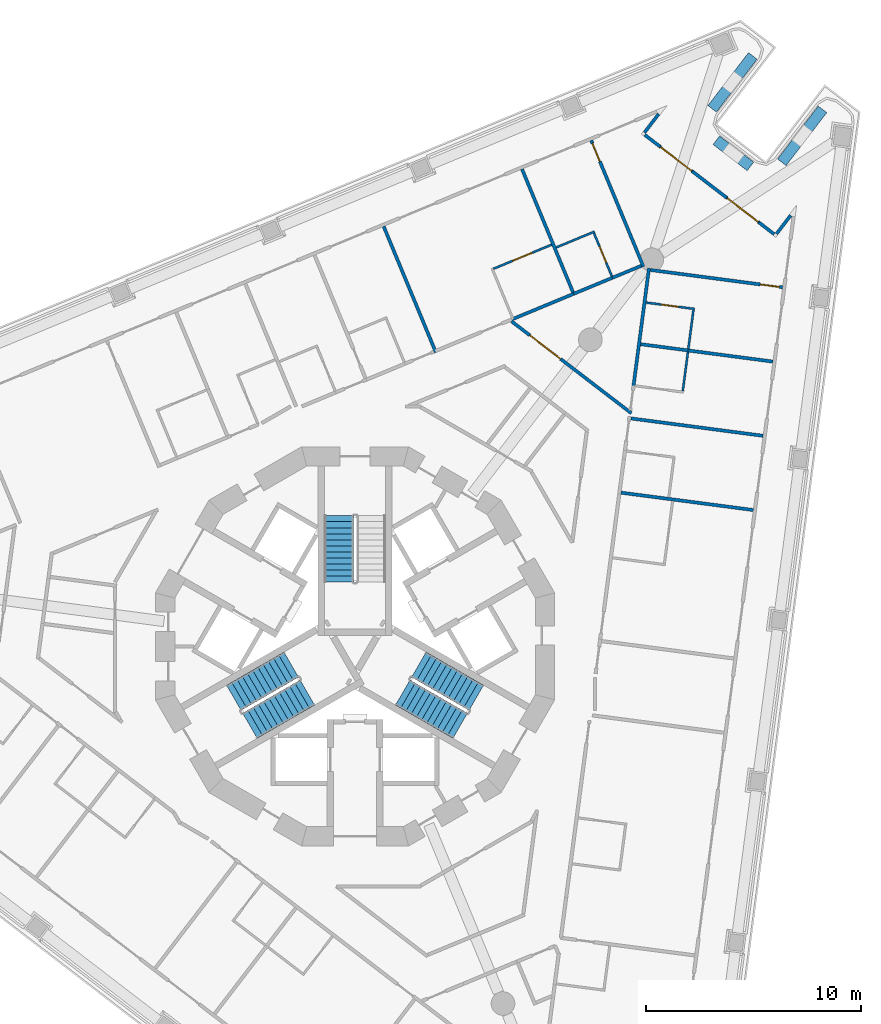
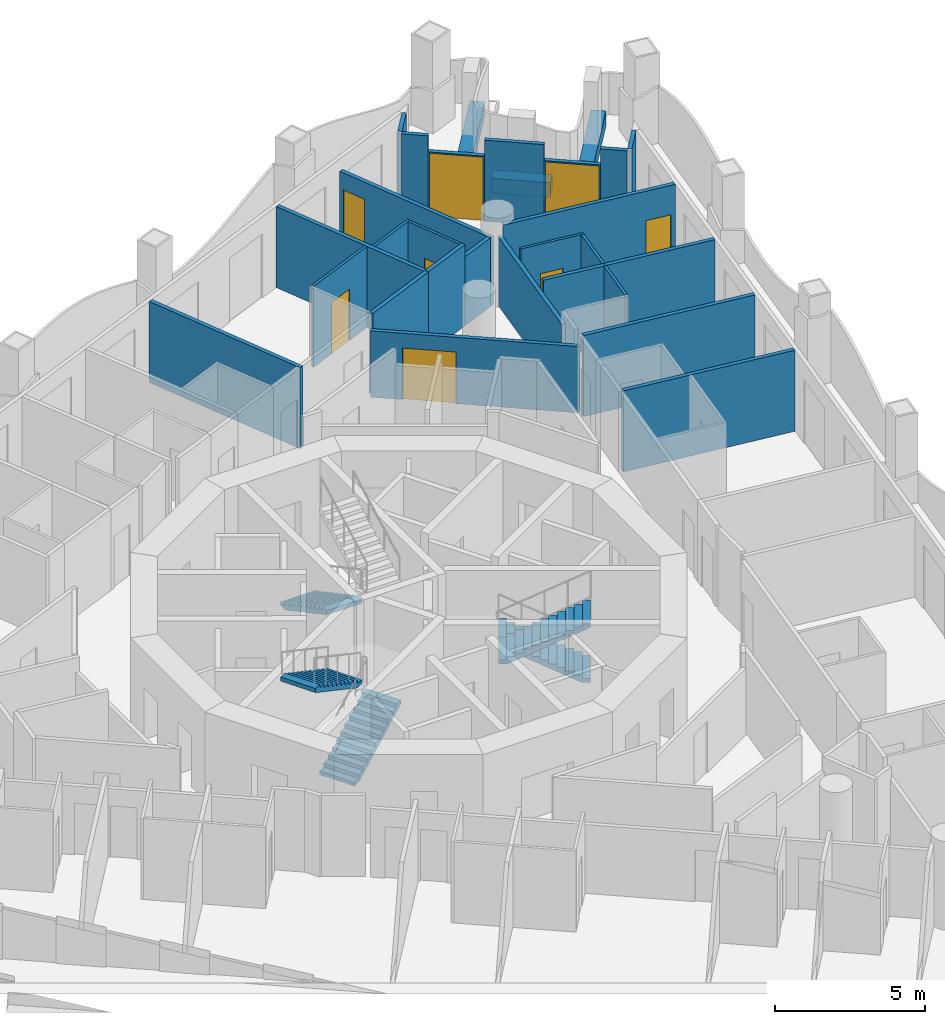
# One storey, part 10 of 18: 29 walls, 8 doors, 5 stair flights, 8 openings, 3 elements without a shape of their own.
"""IFC4 building model written with IfcOpenShell, lengths in metres."""

import ifcopenshell
import ifcopenshell.guid

model = None  # the IFC model being written
_history = None  # IfcOwnerHistory: only IFC2X3 demands one
_inside = {}  # id of a spatial element -> (the spatial element, [elements in it])
_under = {}  # id of a project, library or spatial element -> (it, [spatial elements below it])
_declared = {}  # id of a project -> (the project, [libraries it declares])
_typed = {}  # id of a type object -> (the type object, [elements of that type])
_made_of = {}  # id of a material, layer set ... -> (it, [elements and type objects made of it])


def new_model(schema):
    """Start an empty IFC model of exactly this schema.

    Asked for "IFC4X3", IfcOpenShell would pick the latest addendum, in which some entities
    have other attributes; the version numbers below select the first issue.
    IFC2X3 requires an IfcOwnerHistory on every rooted entity: one is made here for all.
    """
    global model, _history
    if schema == "IFC4X3":
        model = ifcopenshell.file(schema_version=(4, 3, 0, 0))
    else:
        model = ifcopenshell.file(schema=schema)
    _inside.clear()
    _under.clear()
    _declared.clear()
    _typed.clear()
    _made_of.clear()
    _history = None
    if model.schema == "IFC2X3":
        org = make("IfcOrganization", Name="unknown")
        user = make(
            "IfcPersonAndOrganization",
            ThePerson=make("IfcPerson", FamilyName="unknown"),
            TheOrganization=org,
        )
        app = make(
            "IfcApplication",
            ApplicationDeveloper=org,
            Version="unknown",
            ApplicationFullName="unknown",
            ApplicationIdentifier="unknown",
        )
        _history = make(
            "IfcOwnerHistory",
            OwningUser=user,
            OwningApplication=app,
            ChangeAction="ADDED",
            CreationDate=0,
        )
    return model


def make(cls, **values):
    """One entity of the class cls with the attributes given. An attribute that is None is left unset."""
    return model.create_entity(
        cls, **{name: value for name, value in values.items() if value is not None}
    )


def rooted(cls, **values):
    """An entity with a GlobalId (a new one), such as an element, a storey or a relation."""
    return make(cls, GlobalId=ifcopenshell.guid.new(), OwnerHistory=_history, **values)


def si_unit(unit_type, name, prefix=None):
    """IfcSIUnit, for example si_unit("LENGTHUNIT", "METRE", prefix="MILLI")."""
    return make("IfcSIUnit", UnitType=unit_type, Prefix=prefix, Name=name)


def assignment(units):
    """IfcUnitAssignment: the units of a project."""
    return None if units is None else make("IfcUnitAssignment", Units=units)


def point(xyz):
    """IfcCartesianPoint."""
    return None if xyz is None else make("IfcCartesianPoint", Coordinates=xyz)


def direction(xyz):
    """IfcDirection."""
    return None if xyz is None else make("IfcDirection", DirectionRatios=xyz)


def frame(location, z_axis=None, x_axis=None):
    """IfcAxis2Placement3D, a coordinate frame: its origin and axes. An axis left out is left unset."""
    return make(
        "IfcAxis2Placement3D",
        Location=point(location),
        Axis=direction(z_axis),
        RefDirection=direction(x_axis),
    )


def frame_2d(location, x_axis=None):
    """IfcAxis2Placement2D, a coordinate frame in the plane: its origin and x axis."""
    return make(
        "IfcAxis2Placement2D", Location=point(location), RefDirection=direction(x_axis)
    )


def origin():
    """The frame at (0, 0, 0) with its axes left unset."""
    return frame((0.0, 0.0, 0.0))


def place(relative_to, where):
    """IfcLocalPlacement: puts the frame where relative to a parent placement (None: the world)."""
    return make(
        "IfcLocalPlacement", PlacementRelTo=relative_to, RelativePlacement=where
    )


def context(
    kind, dimensions, precision=None, world=None, true_north=None, identifier=None
):
    """IfcGeometricRepresentationContext, for example the 3D "Model" context."""
    return make(
        "IfcGeometricRepresentationContext",
        ContextIdentifier=identifier,
        ContextType=kind,
        CoordinateSpaceDimension=dimensions,
        Precision=precision,
        WorldCoordinateSystem=world,
        TrueNorth=true_north,
    )


def subcontext(parent, identifier, kind, view, scale=None):
    """IfcGeometricRepresentationSubContext, for example "Body" below "Model"."""
    return make(
        "IfcGeometricRepresentationSubContext",
        ContextIdentifier=identifier,
        ContextType=kind,
        ParentContext=parent,
        TargetScale=scale,
        TargetView=view,
    )


def project(units=None, contexts=None):
    """IfcProject with its units and contexts."""
    return rooted(
        "IfcProject",
        Name="project",
        RepresentationContexts=contexts,
        UnitsInContext=assignment(units),
    )


def spatial(cls, under=None, at=None, **own):
    """A site, building, storey or space (cls), placed at a placement, below another one or the project."""
    s = rooted(cls, ObjectPlacement=at, **own)
    if under is not None:
        _under.setdefault(under.id(), (under, []))[1].append(s)
    return s


def polyline(points):
    """IfcPolyline through the points."""
    return make("IfcPolyline", Points=[point(p) for p in points])


def profile(cls, at=None, kind="AREA", **sizes):
    """A parametric profile (cls). Its sizes go by their IFC names, for example OverallWidth=200.0."""
    return make(cls, ProfileType=kind, Position=at, **sizes)


def rectangle(**sizes):
    """IfcRectangleProfileDef."""
    return profile("IfcRectangleProfileDef", **sizes)


def outline(outer, holes=None, kind="AREA"):
    """IfcArbitraryClosedProfileDef: a profile drawn as a closed curve; with holes, ...WithVoids."""
    if holes is None:
        return make("IfcArbitraryClosedProfileDef", ProfileType=kind, OuterCurve=outer)
    return make(
        "IfcArbitraryProfileDefWithVoids",
        ProfileType=kind,
        OuterCurve=outer,
        InnerCurves=holes,
    )


def extrude(swept, where, along, depth):
    """IfcExtrudedAreaSolid: the profile swept, set in the frame where, extruded along a direction by depth."""
    return make(
        "IfcExtrudedAreaSolid",
        SweptArea=swept,
        Position=where,
        ExtrudedDirection=direction(along),
        Depth=depth,
    )


def shape(context_of_items, identifier, shape_type, items):
    """IfcShapeRepresentation: the items that make up one representation, for example the "Body"."""
    return make(
        "IfcShapeRepresentation",
        ContextOfItems=context_of_items,
        RepresentationIdentifier=identifier,
        RepresentationType=shape_type,
        Items=items,
    )


def material(Name=None, Category=None):
    """IfcMaterial."""
    return make("IfcMaterial", Name=Name, Category=Category)


def layer(
    of_material, thickness, ventilated=None, Name=None, Category=None, Priority=None
):
    """IfcMaterialLayer: one layer of a wall or slab, of a material (None: an air gap)."""
    return make(
        "IfcMaterialLayer",
        Material=of_material,
        LayerThickness=thickness,
        IsVentilated=ventilated,
        Name=Name,
        Category=Category,
        Priority=Priority,
    )


def layer_set(layers, Name=None):
    """IfcMaterialLayerSet."""
    return make("IfcMaterialLayerSet", MaterialLayers=layers, LayerSetName=Name)


def made_of(thing, what):
    """Note that an element or type object is made of a material, layer set ...; save() writes the relation."""
    if what is not None:
        _made_of.setdefault(what.id(), (what, []))[1].append(thing)
    return thing


def type_object(cls, material=None, **own):
    """A type object (cls), such as IfcWallType, which elements share."""
    return made_of(rooted(cls, **own), material)


def element(
    cls,
    number,
    at=None,
    inside=None,
    cuts=None,
    type_object=None,
    material=None,
    context=None,
    identifier="Body",
    shape_type=None,
    held_by="IfcProductDefinitionShape",
    body=None,
    shapes=None,
    **own,
):
    """One element of the class cls, such as IfcWall. Its Tag is "e" and its number.

    at: its placement. inside: the storey or other place that contains it. cuts: it is an
    opening in that element (IfcRelVoidsElement). A single representation is given by context,
    identifier, shape_type and body (its items); several are given by shapes. held_by: the class
    of the entity that holds the representations. save() writes the other relations.
    """
    e = rooted(cls, Tag="e%d" % number, ObjectPlacement=at, **own)
    if body is not None:
        shapes = [shape(context, identifier, shape_type, body)]
    if shapes is not None:
        e.Representation = make(held_by, Representations=shapes)
    if inside is not None:
        _inside.setdefault(inside.id(), (inside, []))[1].append(e)
    if cuts is not None:
        rooted(
            "IfcRelVoidsElement", RelatingBuildingElement=cuts, RelatedOpeningElement=e
        )
    if type_object is not None:
        _typed.setdefault(type_object.id(), (type_object, []))[1].append(e)
    return made_of(e, material)


def fill(opening, filler):
    """IfcRelFillsElement: the door or window that sits in an opening."""
    return rooted(
        "IfcRelFillsElement",
        RelatingOpeningElement=opening,
        RelatedBuildingElement=filler,
    )


def aggregate(whole, parts):
    """IfcRelAggregates: a whole, such as a stair, and the parts it consists of."""
    return rooted("IfcRelAggregates", RelatingObject=whole, RelatedObjects=parts)


def save(model, path):
    """Write the relations noted so far, then the file.

    IfcRelAggregates (storeys below a building ...), IfcRelContainedInSpatialStructure (elements
    in a storey), IfcRelDefinesByType, IfcRelAssociatesMaterial and IfcRelDeclares: one each for
    every whole, place, type object, material and project.
    """
    for whole, parts in _under.values():
        aggregate(whole, parts)
    for where, things in _inside.values():
        rooted(
            "IfcRelContainedInSpatialStructure",
            RelatedElements=things,
            RelatingStructure=where,
        )
    for kind, things in _typed.values():
        rooted("IfcRelDefinesByType", RelatedObjects=things, RelatingType=kind)
    for what, things in _made_of.values():
        rooted("IfcRelAssociatesMaterial", RelatedObjects=things, RelatingMaterial=what)
    for by, libraries in _declared.values():
        rooted("IfcRelDeclares", RelatingContext=by, RelatedDefinitions=libraries)
    model.write(path)


model = new_model("IFC4")

# Units and contexts
model_context = context("Model", 3, precision=1e-05, world=origin(), true_north=direction((0.0, 1.0)))
body_context = subcontext(model_context, "Body", "Model", "MODEL_VIEW")
ifc_project = project(units=[si_unit("LENGTHUNIT", "METRE"), si_unit("AREAUNIT", "SQUARE_METRE"), si_unit("VOLUMEUNIT", "CUBIC_METRE"), si_unit("PLANEANGLEUNIT", "RADIAN"), si_unit("MASSUNIT", "GRAM", prefix="KILO")], contexts=[model_context])

# Site, building, storey
site_placement = place(None, origin())
site = spatial("IfcSite", under=ifc_project, at=site_placement, CompositionType="ELEMENT")
building_placement = place(site_placement, origin())
building = spatial("IfcBuilding", under=site, at=building_placement, Name="Trine Commons Tower", CompositionType="ELEMENT")
storey_placement = place(building_placement, frame((0.0, 0.0, 142.199951171875)))
storey = spatial("IfcBuildingStorey", under=building, at=storey_placement, Name="L36", CompositionType="ELEMENT", Elevation=142.199951171875)

# Walls
ifc_material_1 = material(Name="Aluminium-framed insulated wall panel", Category="aluminium")
ifc_layer_1 = layer(ifc_material_1, 0.14990234375)
ifc_layer_set_1 = layer_set([ifc_layer_1], Name="Aluminium-framed insulated wall panel")
wall_type_1 = type_object("IfcWallType", Name="Glazed frame wall 150, EI 60", PredefinedType="SOLIDWALL", material=ifc_layer_set_1)
wall_1_placement = place(storey_placement, frame((94.193115234375, 87.345703125, 0.0), z_axis=(0.0, 0.0, 1.0), x_axis=(-0.608762998157, -0.793352136239, 0.0)))
element("IfcWall", 1, at=wall_1_placement, inside=storey, type_object=wall_type_1, Name="Glazed frame wall R5", PredefinedType="SOLIDWALL", context=body_context, shape_type="SweptSolid", body=[
    extrude(outline(polyline([(0.1494140625, 0.074951171875), (0.1494140625, -0.074951171875), (1.235107421875, -0.074951171875), (1.235107421875, 0.074951171875), (0.1494140625, 0.074951171875)])), origin(), (0.0, 0.0, 1.0), 3.300048828125),
])
wall_2_placement = place(storey_placement, frame((93.36767578125, 86.32763671875, 0.0), z_axis=(0.0, 0.0, 1.0), x_axis=(0.793331259853, -0.608790203715, 0.0)))
element("IfcWall", 2, at=wall_2_placement, inside=storey, type_object=wall_type_1, Name="Glazed frame wall P2.1", PredefinedType="SOLIDWALL", context=body_context, shape_type="SweptSolid", body=[
    extrude(outline(polyline([(0.110107421875, -0.074951171875), (1.0, -0.074951171875), (1.0, 0.074951171875), (0.110107421875, 0.074951171875), (0.110107421875, -0.074951171875)])), origin(), (0.0, 0.0, 1.0), 3.300048828125),
])

# Wall, opening, door
wall_3_placement = place(storey_placement, frame((94.1611328125, 85.71875, 0.0), z_axis=(0.0, 0.0, 1.0), x_axis=(0.793382932281, -0.608722862036, 0.0)))
wall_3 = element("IfcWall", 3, at=wall_3_placement, inside=storey, type_object=wall_type_1, Name="Glazed frame wall P2.2", PredefinedType="SOLIDWALL", context=body_context, shape_type="SweptSolid", body=[
    extrude(outline(polyline([(0.0, -0.074951171875), (1.89990234375, -0.074951171875), (1.89990234375, 0.074951171875), (0.0, 0.074951171875), (0.0, -0.074951171875)])), origin(), (0.0, 0.0, 1.0), 2.650146484375),
])
opening_1_placement = place(wall_3_placement, frame((0.050048828125, 0.0, 0.0)))
opening_1 = element("IfcOpeningElement", 4, at=opening_1_placement, cuts=wall_3, Name="Opening BD-4P2-01", PredefinedType="OPENING", context=body_context, shape_type="SweptSolid", body=[
    extrude(rectangle(XDim=1.800048828125, YDim=2.60009765625, at=frame_2d((0.89990234375, 1.300048828125))), frame((0.0, 0.0849609375, 0.0), z_axis=(0.0, -1.0, 0.0), x_axis=(1.0, 0.0, 0.0)), (0.0, 0.0, 1.0), 0.169921875),
])
ifc_material_2 = material(Name="Anodised aluminium frame with double glazing", Category="aluminium")
door_type_1 = type_object("IfcDoorType", Name="Sliding loggia door 1800x2600", OperationType="SLIDING_TO_LEFT", PredefinedType="DOOR", material=ifc_material_2)
door_1_placement = place(opening_1_placement, origin())
door_1 = element("IfcDoor", 5, at=door_1_placement, inside=storey, type_object=door_type_1, Name="Loggia door P2 1", OperationType="SLIDING_TO_LEFT", OverallHeight=2.60009765625, OverallWidth=1.800048828125, PredefinedType="DOOR", context=body_context, shape_type="SweptSolid", body=[
    extrude(rectangle(XDim=1.800048828125, YDim=2.60009765625, at=frame_2d((0.89990234375, 1.300048828125))), frame((0.0, 0.02490234375, 0.0), z_axis=(0.0, -1.0, 0.0), x_axis=(1.0, 0.0, 0.0)), (0.0, 0.0, 1.0), 0.050048828125),
])
fill(opening_1, door_1)

# Wall
wall_4_placement = place(storey_placement, frame((95.66845703125, 84.562255859375, 0.0), z_axis=(0.0, 0.0, 1.0), x_axis=(0.793344974033, -0.608772331974, 0.0)))
element("IfcWall", 6, at=wall_4_placement, inside=storey, type_object=wall_type_1, Name="Glazed frame wall P2.3", PredefinedType="SOLIDWALL", context=body_context, shape_type="SweptSolid", body=[
    extrude(outline(polyline([(0.0, -0.074951171875), (2.0, -0.074951171875), (2.0, 0.074951171875), (0.0, 0.074951171875), (0.0, -0.074951171875)])), origin(), (0.0, 0.0, 1.0), 3.300048828125),
])

# Wall, opening, door
wall_5_placement = place(storey_placement, frame((97.255126953125, 83.3447265625, 0.0), z_axis=(0.0, 0.0, 1.0), x_axis=(0.793320872023, -0.608803740143, 0.0)))
wall_5 = element("IfcWall", 7, at=wall_5_placement, inside=storey, type_object=wall_type_1, Name="Glazed frame wall P2.4", PredefinedType="SOLIDWALL", context=body_context, shape_type="SweptSolid", body=[
    extrude(outline(polyline([(0.0, -0.074951171875), (1.89990234375, -0.074951171875), (1.89990234375, 0.074951171875), (0.0, 0.074951171875), (0.0, -0.074951171875)])), origin(), (0.0, 0.0, 1.0), 2.650146484375),
])
opening_2_placement = place(wall_5_placement, frame((0.050048828125, 0.0, 0.0)))
opening_2 = element("IfcOpeningElement", 8, at=opening_2_placement, cuts=wall_5, Name="Opening BD-4P2-02", PredefinedType="OPENING", context=body_context, shape_type="SweptSolid", body=[
    extrude(rectangle(XDim=1.800048828125, YDim=2.60009765625, at=frame_2d((0.89990234375, 1.300048828125))), frame((0.0, 0.0849609375, 0.0), z_axis=(0.0, -1.0, 0.0), x_axis=(1.0, 0.0, 0.0)), (0.0, 0.0, 1.0), 0.169921875),
])
door_2_placement = place(opening_2_placement, origin())
door_2 = element("IfcDoor", 9, at=door_2_placement, inside=storey, type_object=door_type_1, Name="Loggia door P2 2", OperationType="SLIDING_TO_LEFT", OverallHeight=2.60009765625, OverallWidth=1.800048828125, PredefinedType="DOOR", context=body_context, shape_type="SweptSolid", body=[
    extrude(rectangle(XDim=1.800048828125, YDim=2.60009765625, at=frame_2d((0.89990234375, 1.300048828125))), frame((0.0, 0.02490234375, 0.0), z_axis=(0.0, -1.0, 0.0), x_axis=(1.0, 0.0, 0.0)), (0.0, 0.0, 1.0), 0.050048828125),
])
fill(opening_2, door_2)

# Walls
wall_6_placement = place(storey_placement, frame((98.762451171875, 82.18798828125, 0.0), z_axis=(0.0, 0.0, 1.0), x_axis=(0.793449156962, -0.60863653794, 0.0)))
element("IfcWall", 10, at=wall_6_placement, inside=storey, type_object=wall_type_1, Name="Glazed frame wall P2.5", PredefinedType="SOLIDWALL", context=body_context, shape_type="SweptSolid", body=[
    extrude(outline(polyline([(0.889892578125, 0.074951171875), (0.0, 0.074951171875), (0.0, -0.074951171875), (0.889892578125, -0.074951171875), (0.889892578125, 0.074951171875)])), origin(), (0.0, 0.0, 1.0), 3.300048828125),
])
wall_7_placement = place(storey_placement, frame((99.5068359375, 81.57275390625, 0.0), z_axis=(0.0, 0.0, 1.0), x_axis=(0.608762998157, 0.793352136239, 0.0)))
element("IfcWall", 11, at=wall_7_placement, inside=storey, type_object=wall_type_1, Name="Glazed frame wall R7", PredefinedType="SOLIDWALL", context=body_context, shape_type="SweptSolid", body=[
    extrude(outline(polyline([(0.110107421875, 0.074951171875), (0.110107421875, -0.074951171875), (1.19580078125, -0.074951171875), (1.19580078125, 0.074951171875), (0.110107421875, 0.074951171875)])), origin(), (0.0, 0.0, 1.0), 3.300048828125),
])
ifc_material_3 = material(Name="Planter trough, precast concrete C40/50", Category="concrete")
ifc_layer_2 = layer(ifc_material_3, 0.5)
ifc_layer_set_2 = layer_set([ifc_layer_2], Name="Planter trough, precast concrete C40/50")
wall_type_2 = type_object("IfcWallType", Name="Planter trough 500x600", PredefinedType="PARAPET", material=ifc_layer_set_2)
wall_8_placement = place(storey_placement, frame((98.474609375, 89.927490234375, 0.0), z_axis=(0.0, 0.0, 1.0), x_axis=(-0.608796883945, -0.793326133503, 0.0)))
element("IfcWall", 12, at=wall_8_placement, inside=storey, type_object=wall_type_2, Name="Planter 4", PredefinedType="PARAPET", context=body_context, shape_type="SweptSolid", body=[
    extrude(rectangle(XDim=3.099853515625, YDim=0.5, at=frame_2d((1.5498046875, 0.0))), origin(), (0.0, 0.0, 1.0), 0.60009765625),
])
wall_9_placement = place(storey_placement, frame((96.779296875, 86.010009765625, 0.0), z_axis=(0.0, 0.0, 1.0), x_axis=(0.793390207748, -0.608713379391, 0.0)))
element("IfcWall", 13, at=wall_9_placement, inside=storey, type_object=wall_type_2, Name="Planter 5", PredefinedType="PARAPET", context=body_context, shape_type="SweptSolid", body=[
    extrude(rectangle(XDim=2.000244140625, YDim=0.5, at=frame_2d((1.0, 0.0))), origin(), (0.0, 0.0, 1.0), 0.60009765625),
])
wall_10_placement = place(storey_placement, frame((99.82421875, 84.984619140625, 0.0), z_axis=(0.0, 0.0, 1.0), x_axis=(0.608796883945, 0.793326133503, 0.0)))
element("IfcWall", 14, at=wall_10_placement, inside=storey, type_object=wall_type_2, Name="Planter 6", PredefinedType="PARAPET", context=body_context, shape_type="SweptSolid", body=[
    extrude(rectangle(XDim=3.099853515625, YDim=0.5, at=frame_2d((1.5498046875, 0.0))), origin(), (0.0, 0.0, 1.0), 0.60009765625),
])
ifc_material_4 = material(Name="Gypsum plasterboard on steel stud", Category="steel")
ifc_layer_3 = layer(ifc_material_4, 0.14990234375)
ifc_layer_set_3 = layer_set([ifc_layer_3], Name="Gypsum plasterboard on steel stud")
wall_type_3 = type_object("IfcWallType", Name="Unit and corridor wall 150 mm, EI 60", PredefinedType="PARTITIONING", material=ifc_layer_set_3)
wall_11_placement = place(storey_placement, frame((81.329345703125, 82.007080078125, 0.0), z_axis=(0.0, 0.0, 1.0), x_axis=(0.38276754093, -0.923844689117, 0.0)))
element("IfcWall", 15, at=wall_11_placement, inside=storey, type_object=wall_type_3, Name="Partition 075", PredefinedType="PARTITIONING", context=body_context, shape_type="SweptSolid", body=[
    extrude(rectangle(XDim=6.344482421875, YDim=0.14990234375, at=frame_2d((3.17236328125, 0.0))), origin(), (0.0, 0.0, 1.0), 3.300048828125),
])

# Wall, opening, door
wall_12_placement = place(storey_placement, frame((87.259521484375, 77.607421875, 0.0), z_axis=(0.0, 0.0, 1.0), x_axis=(0.79336631803, -0.608744515718, 0.0)))
wall_12 = element("IfcWall", 16, at=wall_12_placement, inside=storey, type_object=wall_type_3, Name="Partition 097", PredefinedType="PARTITIONING", context=body_context, shape_type="SweptSolid", body=[
    extrude(rectangle(XDim=7.0244140625, YDim=0.14990234375, at=frame_2d((3.51220703125, 0.0))), origin(), (0.0, 0.0, 1.0), 2.699951171875),
])
opening_3_placement = place(wall_12_placement, frame((1.086181640625, 0.0, 0.0)))
opening_3 = element("IfcOpeningElement", 17, at=opening_3_placement, cuts=wall_12, Name="Opening D-4B01", PredefinedType="OPENING", context=body_context, shape_type="SweptSolid", body=[
    extrude(rectangle(XDim=1.800048828125, YDim=2.10009765625, at=frame_2d((0.89990234375, 1.050048828125))), frame((0.0, 0.0849609375, 0.0), z_axis=(0.0, -1.0, 0.0), x_axis=(1.0, 0.0, 0.0)), (0.0, 0.0, 1.0), 0.169921875),
])
ifc_material_5 = material(Name="Timber fire door set", Category="wood")
door_type_2 = type_object("IfcDoorType", Name="Cluster entrance door 1800 x 2100, double leaf, FD30S", OperationType="DOUBLE_DOOR_DOUBLE_SWING", PredefinedType="DOOR", material=ifc_material_5)
door_3_placement = place(opening_3_placement, origin())
door_3 = element("IfcDoor", 18, at=door_3_placement, inside=storey, type_object=door_type_2, Name="Door D-4B01", OperationType="DOUBLE_DOOR_DOUBLE_SWING", OverallHeight=2.10009765625, OverallWidth=1.800048828125, PredefinedType="DOOR", context=body_context, shape_type="SweptSolid", body=[
    extrude(rectangle(XDim=1.800048828125, YDim=2.10009765625, at=frame_2d((0.89990234375, 1.050048828125))), frame((0.0, 0.02490234375, 0.0), z_axis=(0.0, -1.0, 0.0), x_axis=(1.0, 0.0, 0.0)), (0.0, 0.0, 1.0), 0.050048828125),
])
fill(opening_3, door_3)

# Walls
wall_13_placement = place(storey_placement, frame((87.33203125, 77.7080078125, 0.0), z_axis=(0.0, 0.0, 1.0), x_axis=(0.923876553121, 0.38269062517, 0.0)))
element("IfcWall", 19, at=wall_13_placement, inside=storey, type_object=wall_type_3, Name="Partition 098", PredefinedType="PARTITIONING", context=body_context, shape_type="SweptSolid", body=[
    extrude(rectangle(XDim=3.054443359375, YDim=0.14990234375, at=frame_2d((1.52734375, 0.0))), origin(), (0.0, 0.0, 1.0), 3.300048828125),
])
wall_14_placement = place(storey_placement, frame((87.75537109375, 84.66796875, 0.0), z_axis=(0.0, 0.0, 1.0), x_axis=(0.382666303598, -0.923886627293, 0.0)))
element("IfcWall", 20, at=wall_14_placement, inside=storey, type_object=wall_type_3, Name="Partition 101", PredefinedType="PARTITIONING", context=body_context, shape_type="SweptSolid", body=[
    extrude(rectangle(XDim=6.193115234375, YDim=0.14990234375, at=frame_2d((3.0966796875, 0.0))), origin(), (0.0, 0.0, 1.0), 3.300048828125),
])
wall_15_placement = place(storey_placement, frame((90.154052734375, 78.876953125, 0.0), z_axis=(0.0, 0.0, 1.0), x_axis=(0.924061346064, 0.382244200362, 0.0)))
element("IfcWall", 21, at=wall_15_placement, inside=storey, type_object=wall_type_3, Name="Partition 120", PredefinedType="PARTITIONING", context=body_context, shape_type="SweptSolid", body=[
    extrude(rectangle(XDim=2.004150390625, YDim=0.14990234375, at=frame_2d((1.001953125, 0.0))), origin(), (0.0, 0.0, 1.0), 3.300048828125),
])

# Wall, opening, door
wall_16_placement = place(storey_placement, frame((90.96826171875, 85.9990234375, 0.0), z_axis=(0.0, 0.0, 1.0), x_axis=(0.382636157896, -0.92389911282, 0.0)))
wall_16 = element("IfcWall", 22, at=wall_16_placement, inside=storey, type_object=wall_type_3, Name="Partition 122", PredefinedType="PARTITIONING", context=body_context, shape_type="SweptSolid", body=[
    extrude(rectangle(XDim=6.34423828125, YDim=0.14990234375, at=frame_2d((3.172119140625, 0.0))), origin(), (0.0, 0.0, 1.0), 2.800048828125),
])
opening_4_placement = place(wall_16_placement, frame((0.14990234375, 0.0, 0.0)))
opening_4 = element("IfcOpeningElement", 23, at=opening_4_placement, cuts=wall_16, Name="Opening D-4B12", PredefinedType="OPENING", context=body_context, shape_type="SweptSolid", body=[
    extrude(rectangle(XDim=0.89990234375, YDim=2.10009765625, at=frame_2d((0.449951171875, 1.050048828125))), frame((0.0, 0.0849609375, 0.0), z_axis=(0.0, -1.0, 0.0), x_axis=(1.0, 0.0, 0.0)), (0.0, 0.0, 1.0), 0.169921875),
])
door_type_3 = type_object("IfcDoorType", Name="Bedroom door 900 x 2100, FD30S", OperationType="NOTDEFINED", PredefinedType="DOOR", material=ifc_material_5)
door_4_placement = place(opening_4_placement, frame((0.89990234375, 0.0, 0.0), z_axis=(0.0, 0.0, 1.0), x_axis=(-1.0, 0.0, 0.0)))
door_4 = element("IfcDoor", 24, at=door_4_placement, inside=storey, type_object=door_type_3, Name="Door D-4B12", OperationType="SINGLE_SWING_RIGHT", OverallHeight=2.10009765625, OverallWidth=0.89990234375, PredefinedType="DOOR", context=body_context, shape_type="SweptSolid", body=[
    extrude(rectangle(XDim=0.89990234375, YDim=2.10009765625, at=frame_2d((0.449951171875, 1.050048828125))), frame((0.0, 0.02490234375, 0.0), z_axis=(0.0, -1.0, 0.0), x_axis=(1.0, 0.0, 0.0)), (0.0, 0.0, 1.0), 0.050048828125),
])
fill(opening_4, door_4)

# Walls
wall_17_placement = place(storey_placement, frame((91.952880859375, 79.62109375, 0.0), z_axis=(0.0, 0.0, 1.0), x_axis=(0.923849185367, 0.382756688636, 0.0)))
element("IfcWall", 25, at=wall_17_placement, inside=storey, type_object=wall_type_3, Name="Partition 131", PredefinedType="PARTITIONING", context=body_context, shape_type="SweptSolid", body=[
    extrude(rectangle(XDim=1.45556640625, YDim=0.14990234375, at=frame_2d((0.727783203125, 0.0))), origin(), (0.0, 0.0, 1.0), 2.800048828125),
])
wall_18_placement = place(storey_placement, frame((92.357421875, 69.64111328125, 0.0), z_axis=(0.0, 0.0, 1.0), x_axis=(0.991457381012, -0.130431060858, 0.0)))
element("IfcWall", 26, at=wall_18_placement, inside=storey, type_object=wall_type_3, Name="Partition 133", PredefinedType="PARTITIONING", context=body_context, shape_type="SweptSolid", body=[
    extrude(rectangle(XDim=6.19384765625, YDim=0.14990234375, at=frame_2d((3.096923828125, 0.0))), origin(), (0.0, 0.0, 1.0), 3.300048828125),
])
wall_19_placement = place(storey_placement, frame((92.811279296875, 73.089111328125, 0.0), z_axis=(0.0, 0.0, 1.0), x_axis=(0.991458051546, -0.130425963766, 0.0)))
element("IfcWall", 27, at=wall_19_placement, inside=storey, type_object=wall_type_3, Name="Partition 138", PredefinedType="PARTITIONING", context=body_context, shape_type="SweptSolid", body=[
    extrude(rectangle(XDim=6.194091796875, YDim=0.14990234375, at=frame_2d((3.09716796875, 0.0))), origin(), (0.0, 0.0, 1.0), 3.300048828125),
])
wall_20_placement = place(storey_placement, frame((92.928466796875, 74.559326171875, 0.0), z_axis=(0.0, 0.0, 1.0), x_axis=(0.130537481379, 0.991443375062, 0.0)))
element("IfcWall", 28, at=wall_20_placement, inside=storey, type_object=wall_type_3, Name="Partition 140", PredefinedType="PARTITIONING", context=body_context, shape_type="SweptSolid", body=[
    extrude(rectangle(XDim=5.556640625, YDim=0.14990234375, at=frame_2d((2.7783203125, 0.0))), origin(), (0.0, 0.0, 1.0), 2.800048828125),
])
wall_21_placement = place(storey_placement, frame((93.264404296875, 76.537109375, 0.0), z_axis=(0.0, 0.0, 1.0), x_axis=(0.991414673446, -0.130755287757, 0.0)))
element("IfcWall", 29, at=wall_21_placement, inside=storey, type_object=wall_type_3, Name="Partition 142", PredefinedType="PARTITIONING", context=body_context, shape_type="SweptSolid", body=[
    extrude(rectangle(XDim=2.2255859375, YDim=0.14990234375, at=frame_2d((1.11279296875, 0.0))), origin(), (0.0, 0.0, 1.0), 3.300048828125),
])

# Wall, opening, door
wall_22_placement = place(storey_placement, frame((93.718505859375, 79.984130859375, 0.0), z_axis=(0.0, 0.0, 1.0), x_axis=(0.991457381012, -0.130431060858, 0.0)))
wall_22 = element("IfcWall", 30, at=wall_22_placement, inside=storey, type_object=wall_type_3, Name="Partition 144", PredefinedType="PARTITIONING", context=body_context, shape_type="SweptSolid", body=[
    extrude(rectangle(XDim=6.19384765625, YDim=0.14990234375, at=frame_2d((3.096923828125, 0.0))), origin(), (0.0, 0.0, 1.0), 3.300048828125),
])
opening_5_placement = place(wall_22_placement, frame((5.143798828125, 0.0, 0.0)))
opening_5 = element("IfcOpeningElement", 31, at=opening_5_placement, cuts=wall_22, Name="Opening D-4B13", PredefinedType="OPENING", context=body_context, shape_type="SweptSolid", body=[
    extrude(rectangle(XDim=0.89990234375, YDim=2.10009765625, at=frame_2d((0.449951171875, 1.050048828125))), frame((0.0, 0.0849609375, 0.0), z_axis=(0.0, -1.0, 0.0), x_axis=(1.0, 0.0, 0.0)), (0.0, 0.0, 1.0), 0.169921875),
])
door_5_placement = place(opening_5_placement, frame((0.89990234375, 0.0, 0.0), z_axis=(0.0, 0.0, 1.0), x_axis=(-1.0, 0.0, 0.0)))
door_5 = element("IfcDoor", 32, at=door_5_placement, inside=storey, type_object=door_type_3, Name="Door D-4B13", OperationType="SINGLE_SWING_LEFT", OverallHeight=2.10009765625, OverallWidth=0.89990234375, PredefinedType="DOOR", context=body_context, shape_type="SweptSolid", body=[
    extrude(rectangle(XDim=0.89990234375, YDim=2.10009765625, at=frame_2d((0.449951171875, 1.050048828125))), frame((0.0, 0.02490234375, 0.0), z_axis=(0.0, -1.0, 0.0), x_axis=(1.0, 0.0, 0.0)), (0.0, 0.0, 1.0), 0.050048828125),
])
fill(opening_5, door_5)

# Wall
wall_23_placement = place(storey_placement, frame((95.470947265625, 76.24609375, 0.0), z_axis=(0.0, 0.0, 1.0), x_axis=(0.991453667467, -0.130459285855, 0.0)))
element("IfcWall", 33, at=wall_23_placement, inside=storey, type_object=wall_type_3, Name="Partition 149", PredefinedType="PARTITIONING", context=body_context, shape_type="SweptSolid", body=[
    extrude(rectangle(XDim=3.96923828125, YDim=0.14990234375, at=frame_2d((1.984619140625, 0.0))), origin(), (0.0, 0.0, 1.0), 3.300048828125),
])

# Wall, opening, door
ifc_layer_4 = layer(ifc_material_4, 0.10009765625)
ifc_layer_set_4 = layer_set([ifc_layer_4], Name="Gypsum plasterboard on steel stud")
wall_type_4 = type_object("IfcWallType", Name="Unit partition 100 mm, no rating", PredefinedType="PARTITIONING", material=ifc_layer_set_4)
wall_24_placement = place(storey_placement, frame((86.42626953125, 80.0380859375, 0.0), z_axis=(0.0, 0.0, 1.0), x_axis=(0.923906972489, 0.382617179681, 0.0)))
wall_24 = element("IfcWall", 34, at=wall_24_placement, inside=storey, type_object=wall_type_4, Name="Partition 095", PredefinedType="PARTITIONING", context=body_context, shape_type="SweptSolid", body=[
    extrude(rectangle(XDim=2.925048828125, YDim=0.10009765625, at=frame_2d((1.46240234375, 0.0))), origin(), (0.0, 0.0, 1.0), 3.300048828125),
])
opening_6_placement = place(wall_24_placement, frame((0.962646484375, 0.0, 0.0)))
opening_6 = element("IfcOpeningElement", 35, at=opening_6_placement, cuts=wall_24, Name="Opening D-4B42", PredefinedType="OPENING", context=body_context, shape_type="SweptSolid", body=[
    extrude(rectangle(XDim=1.0, YDim=2.10009765625, at=frame_2d((0.5, 1.050048828125))), frame((0.0, 0.06005859375, 0.0), z_axis=(0.0, -1.0, 0.0), x_axis=(1.0, 0.0, 0.0)), (0.0, 0.0, 1.0), 0.1201171875),
])
ifc_material_6 = material(Name="Painted timber", Category="wood")
door_type_4 = type_object("IfcDoorType", Name="Internal door 1000 x 2100, NOT RATED", OperationType="NOTDEFINED", PredefinedType="DOOR", material=ifc_material_6)
door_6_placement = place(opening_6_placement, origin())
door_6 = element("IfcDoor", 36, at=door_6_placement, inside=storey, type_object=door_type_4, Name="Door D-4B42", OperationType="SINGLE_SWING_RIGHT", OverallHeight=2.10009765625, OverallWidth=1.0, PredefinedType="DOOR", context=body_context, shape_type="SweptSolid", body=[
    extrude(rectangle(XDim=1.0, YDim=2.10009765625, at=frame_2d((0.5, 1.050048828125))), frame((0.0, 0.02490234375, 0.0), z_axis=(0.0, -1.0, 0.0), x_axis=(1.0, 0.0, 0.0)), (0.0, 0.0, 1.0), 0.050048828125),
])
fill(opening_6, door_6)

# Wall
wall_25_placement = place(storey_placement, frame((89.34326171875, 81.02978515625, 0.0), z_axis=(0.0, 0.0, 1.0), x_axis=(0.923806646111, 0.382859348327, 0.0)))
element("IfcWall", 37, at=wall_25_placement, inside=storey, type_object=wall_type_4, Name="Partition 110", PredefinedType="PARTITIONING", context=body_context, shape_type="SweptSolid", body=[
    extrude(rectangle(XDim=1.92578125, YDim=0.10009765625, at=frame_2d((0.962890625, 0.0))), origin(), (0.0, 0.0, 1.0), 3.300048828125),
])

# Wall, opening, door
wall_26_placement = place(storey_placement, frame((91.09521484375, 81.701904296875, 0.0), z_axis=(0.0, 0.0, 1.0), x_axis=(0.382550074338, -0.923934759939, 0.0)))
wall_26 = element("IfcWall", 38, at=wall_26_placement, inside=storey, type_object=wall_type_4, Name="Partition 124", PredefinedType="PARTITIONING", context=body_context, shape_type="SweptSolid", body=[
    extrude(rectangle(XDim=2.175048828125, YDim=0.10009765625, at=frame_2d((1.08740234375, 0.0))), origin(), (0.0, 0.0, 1.0), 3.300048828125),
])
opening_7_placement = place(wall_26_placement, frame((0.6875, 0.0, 0.0)))
opening_7 = element("IfcOpeningElement", 39, at=opening_7_placement, cuts=wall_26, Name="Opening D-4B43", PredefinedType="OPENING", context=body_context, shape_type="SweptSolid", body=[
    extrude(rectangle(XDim=0.800048828125, YDim=2.10009765625, at=frame_2d((0.39990234375, 1.050048828125))), frame((0.0, 0.06005859375, 0.0), z_axis=(0.0, -1.0, 0.0), x_axis=(1.0, 0.0, 0.0)), (0.0, 0.0, 1.0), 0.1201171875),
])
door_type_5 = type_object("IfcDoorType", Name="Internal door 800 x 2100, NOT RATED", OperationType="NOTDEFINED", PredefinedType="DOOR", material=ifc_material_6)
door_7_placement = place(opening_7_placement, origin())
door_7 = element("IfcDoor", 40, at=door_7_placement, inside=storey, type_object=door_type_5, Name="Door D-4B43", OperationType="SINGLE_SWING_RIGHT", OverallHeight=2.10009765625, OverallWidth=0.800048828125, PredefinedType="DOOR", context=body_context, shape_type="SweptSolid", body=[
    extrude(rectangle(XDim=0.800048828125, YDim=2.10009765625, at=frame_2d((0.39990234375, 1.050048828125))), frame((0.0, 0.02490234375, 0.0), z_axis=(0.0, -1.0, 0.0), x_axis=(1.0, 0.0, 0.0)), (0.0, 0.0, 1.0), 0.050048828125),
])
fill(opening_7, door_7)

wall_27_placement = place(storey_placement, frame((93.519287109375, 78.47021484375, 0.0), z_axis=(0.0, 0.0, 1.0), x_axis=(0.991461599928, -0.130398987217, 0.0)))
wall_27 = element("IfcWall", 41, at=wall_27_placement, inside=storey, type_object=wall_type_4, Name="Partition 143", PredefinedType="PARTITIONING", context=body_context, shape_type="SweptSolid", body=[
    extrude(rectangle(XDim=2.27490234375, YDim=0.10009765625, at=frame_2d((1.137451171875, 0.0))), origin(), (0.0, 0.0, 1.0), 3.300048828125),
])
opening_8_placement = place(wall_27_placement, frame((0.71240234375, 0.0, 0.0)))
opening_8 = element("IfcOpeningElement", 42, at=opening_8_placement, cuts=wall_27, Name="Opening D-4B44", PredefinedType="OPENING", context=body_context, shape_type="SweptSolid", body=[
    extrude(rectangle(XDim=0.800048828125, YDim=2.10009765625, at=frame_2d((0.39990234375, 1.050048828125))), frame((0.0, 0.06005859375, 0.0), z_axis=(0.0, -1.0, 0.0), x_axis=(1.0, 0.0, 0.0)), (0.0, 0.0, 1.0), 0.1201171875),
])
door_8_placement = place(opening_8_placement, origin())
door_8 = element("IfcDoor", 43, at=door_8_placement, inside=storey, type_object=door_type_5, Name="Door D-4B44", OperationType="SINGLE_SWING_LEFT", OverallHeight=2.10009765625, OverallWidth=0.800048828125, PredefinedType="DOOR", context=body_context, shape_type="SweptSolid", body=[
    extrude(rectangle(XDim=0.800048828125, YDim=2.10009765625, at=frame_2d((0.39990234375, 1.050048828125))), frame((0.0, 0.02490234375, 0.0), z_axis=(0.0, -1.0, 0.0), x_axis=(1.0, 0.0, 0.0)), (0.0, 0.0, 1.0), 0.050048828125),
])
fill(opening_8, door_8)

# Walls
wall_28_placement = place(storey_placement, frame((95.222412109375, 74.362548828125, 0.0), z_axis=(0.0, 0.0, 1.0), x_axis=(0.130849048899, 0.991402303004, 0.0)))
element("IfcWall", 44, at=wall_28_placement, inside=storey, type_object=wall_type_4, Name="Partition 147", PredefinedType="PARTITIONING", context=body_context, shape_type="SweptSolid", body=[
    extrude(rectangle(XDim=1.82470703125, YDim=0.10009765625, at=frame_2d((0.912353515625, 0.0))), origin(), (0.0, 0.0, 1.0), 3.300048828125),
])
wall_29_placement = place(storey_placement, frame((95.480712890625, 76.3203125, 0.0), z_axis=(0.0, 0.0, 1.0), x_axis=(0.130253868076, 0.99148067548, 0.0)))
element("IfcWall", 45, at=wall_29_placement, inside=storey, type_object=wall_type_4, Name="Partition 148", PredefinedType="PARTITIONING", context=body_context, shape_type="SweptSolid", body=[
    extrude(rectangle(XDim=1.82568359375, YDim=0.10009765625, at=frame_2d((0.912841796875, 0.0))), origin(), (0.0, 0.0, 1.0), 3.300048828125),
])

# Stair, stair flight
ifc_material_7 = material(Name="Concrete C50/60", Category="concrete")
stair_type = type_object("IfcStairType", Name="Exit stair, dog-leg, 24 risers of 150 mm", PredefinedType="HALF_TURN_STAIR", material=ifc_material_7)
stair_1_placement = place(storey_placement, origin())
stair_1 = element("IfcStair", 46, at=stair_1_placement, inside=storey, type_object=stair_type, Name="L36 Exit stair ST1B", PredefinedType="HALF_TURN_STAIR")
stair_flight_type = type_object("IfcStairFlightType", Name="Stair flight, 1350 wide, 12 risers of 150 mm", PredefinedType="STRAIGHT", material=ifc_material_7)
stair_flight_1_placement = place(storey_placement, frame((79.25, 68.570556640625, 0.0), z_axis=(0.0, 0.0, 1.0), x_axis=(0.0, -1.0, 0.0)))
stair_flight_1 = element("IfcStairFlight", 47, at=stair_flight_1_placement, type_object=stair_flight_type, Name="ST1B flight 1", NumberOfRisers=12, NumberOfTreads=11, PredefinedType="STRAIGHT", RiserHeight=0.15, TreadLength=0.28, context=body_context, shape_type="SweptSolid", body=[
    extrude(outline(polyline([(0.0, 0.0), (0.0, 0.14990234375), (0.280029296875, 0.14990234375), (0.280029296875, 0.300048828125), (0.56005859375, 0.300048828125), (0.56005859375, 0.449951171875), (0.840087890625, 0.449951171875), (0.840087890625, 0.60009765625), (1.1201171875, 0.60009765625), (1.1201171875, 0.75), (1.39990234375, 0.75), (1.39990234375, 0.89990234375), (1.679931640625, 0.89990234375), (1.679931640625, 1.050048828125), (1.9599609375, 1.050048828125), (1.9599609375, 1.199951171875), (2.239990234375, 1.199951171875), (2.239990234375, 1.35009765625), (2.52001953125, 1.35009765625), (2.52001953125, 1.5), (2.800048828125, 1.5), (2.800048828125, 1.64990234375), (3.080078125, 1.64990234375), (3.080078125, 1.800048828125), (3.080078125, 1.47998046875), (0.3173828125, 0.0), (0.0, 0.0)])), frame((0.0, 0.675048828125, 0.0), z_axis=(0.0, -1.0, 0.0), x_axis=(1.0, 0.0, 0.0)), (0.0, 0.0, 1.0), 1.35009765625),
])
aggregate(stair_1, [stair_flight_1])

# Stair, stair flights
stair_2_placement = place(storey_placement, origin())
stair_2 = element("IfcStair", 48, at=stair_2_placement, inside=storey, type_object=stair_type, Name="L36 Exit stair ST2B", PredefinedType="HALF_TURN_STAIR")
stair_flight_2_placement = place(storey_placement, frame((75.11767578125, 58.815185546875, 0.0), z_axis=(0.0, 0.0, 1.0), x_axis=(0.866025403784, 0.5, 0.0)))
stair_flight_2 = element("IfcStairFlight", 49, at=stair_flight_2_placement, type_object=stair_flight_type, Name="ST2B flight 1", NumberOfRisers=12, NumberOfTreads=11, PredefinedType="STRAIGHT", RiserHeight=0.15, TreadLength=0.28, context=body_context, shape_type="SweptSolid", body=[
    extrude(outline(polyline([(0.0, 0.0), (0.0, 0.14990234375), (0.280029296875, 0.14990234375), (0.280029296875, 0.300048828125), (0.56005859375, 0.300048828125), (0.56005859375, 0.449951171875), (0.840087890625, 0.449951171875), (0.840087890625, 0.60009765625), (1.1201171875, 0.60009765625), (1.1201171875, 0.75), (1.39990234375, 0.75), (1.39990234375, 0.89990234375), (1.679931640625, 0.89990234375), (1.679931640625, 1.050048828125), (1.9599609375, 1.050048828125), (1.9599609375, 1.199951171875), (2.239990234375, 1.199951171875), (2.239990234375, 1.35009765625), (2.52001953125, 1.35009765625), (2.52001953125, 1.5), (2.800048828125, 1.5), (2.800048828125, 1.64990234375), (3.080078125, 1.64990234375), (3.080078125, 1.800048828125), (3.080078125, 1.47998046875), (0.3173828125, 0.0), (0.0, 0.0)])), frame((0.0, 0.675048828125, 0.0), z_axis=(0.0, -1.0, 0.0), x_axis=(1.0, 0.0, 0.0)), (0.0, 0.0, 1.0), 1.35009765625),
])
stair_flight_3_placement = place(storey_placement, frame((77.03515625, 61.654296875, 1.800048828125), z_axis=(0.0, 0.0, 1.0), x_axis=(-0.866025403784, -0.5, 0.0)))
stair_flight_3 = element("IfcStairFlight", 50, at=stair_flight_3_placement, type_object=stair_flight_type, Name="ST2B flight 2", NumberOfRisers=12, NumberOfTreads=11, PredefinedType="STRAIGHT", RiserHeight=0.15, TreadLength=0.28, context=body_context, shape_type="SweptSolid", body=[
    extrude(outline(polyline([(0.0, 0.0), (0.0, 0.14990234375), (0.280029296875, 0.14990234375), (0.280029296875, 0.300048828125), (0.56005859375, 0.300048828125), (0.56005859375, 0.449951171875), (0.840087890625, 0.449951171875), (0.840087890625, 0.60009765625), (1.1201171875, 0.60009765625), (1.1201171875, 0.75), (1.39990234375, 0.75), (1.39990234375, 0.89990234375), (1.679931640625, 0.89990234375), (1.679931640625, 1.050048828125), (1.9599609375, 1.050048828125), (1.9599609375, 1.199951171875), (2.239990234375, 1.199951171875), (2.239990234375, 1.35009765625), (2.52001953125, 1.35009765625), (2.52001953125, 1.5), (2.800048828125, 1.5), (2.800048828125, 1.64990234375), (3.080078125, 1.64990234375), (3.080078125, 1.800048828125), (3.080078125, 1.47998046875), (0.3173828125, 0.0), (0.0, 0.0)])), frame((0.0, 0.675048828125, 0.0), z_axis=(0.0, -1.0, 0.0), x_axis=(1.0, 0.0, 0.0)), (0.0, 0.0, 1.0), 1.35009765625),
])
aggregate(stair_2, [stair_flight_2, stair_flight_3])

stair_3_placement = place(storey_placement, origin())
stair_3 = element("IfcStair", 51, at=stair_3_placement, inside=storey, type_object=stair_type, Name="L36 Exit stair ST3B", PredefinedType="HALF_TURN_STAIR")
stair_flight_4_placement = place(storey_placement, frame((85.63232421875, 60.1142578125, 0.0), z_axis=(0.0, 0.0, 1.0), x_axis=(-0.866025403784, 0.5, 0.0)))
stair_flight_4 = element("IfcStairFlight", 52, at=stair_flight_4_placement, type_object=stair_flight_type, Name="ST3B flight 1", NumberOfRisers=12, NumberOfTreads=11, PredefinedType="STRAIGHT", RiserHeight=0.15, TreadLength=0.28, context=body_context, shape_type="SweptSolid", body=[
    extrude(outline(polyline([(0.0, 0.0), (0.0, 0.14990234375), (0.280029296875, 0.14990234375), (0.280029296875, 0.300048828125), (0.56005859375, 0.300048828125), (0.56005859375, 0.449951171875), (0.840087890625, 0.449951171875), (0.840087890625, 0.60009765625), (1.1201171875, 0.60009765625), (1.1201171875, 0.75), (1.39990234375, 0.75), (1.39990234375, 0.89990234375), (1.679931640625, 0.89990234375), (1.679931640625, 1.050048828125), (1.9599609375, 1.050048828125), (1.9599609375, 1.199951171875), (2.239990234375, 1.199951171875), (2.239990234375, 1.35009765625), (2.52001953125, 1.35009765625), (2.52001953125, 1.5), (2.800048828125, 1.5), (2.800048828125, 1.64990234375), (3.080078125, 1.64990234375), (3.080078125, 1.800048828125), (3.080078125, 1.47998046875), (0.3173828125, 0.0), (0.0, 0.0)])), frame((0.0, 0.675048828125, 0.0), z_axis=(0.0, -1.0, 0.0), x_axis=(1.0, 0.0, 0.0)), (0.0, 0.0, 1.0), 1.35009765625),
])
stair_flight_5_placement = place(storey_placement, frame((82.21484375, 60.355224609375, 1.800048828125), z_axis=(0.0, 0.0, 1.0), x_axis=(0.866025403784, -0.5, 0.0)))
stair_flight_5 = element("IfcStairFlight", 53, at=stair_flight_5_placement, type_object=stair_flight_type, Name="ST3B flight 2", NumberOfRisers=12, NumberOfTreads=11, PredefinedType="STRAIGHT", RiserHeight=0.15, TreadLength=0.28, context=body_context, shape_type="SweptSolid", body=[
    extrude(outline(polyline([(0.0, 0.0), (0.0, 0.14990234375), (0.280029296875, 0.14990234375), (0.280029296875, 0.300048828125), (0.56005859375, 0.300048828125), (0.56005859375, 0.449951171875), (0.840087890625, 0.449951171875), (0.840087890625, 0.60009765625), (1.1201171875, 0.60009765625), (1.1201171875, 0.75), (1.39990234375, 0.75), (1.39990234375, 0.89990234375), (1.679931640625, 0.89990234375), (1.679931640625, 1.050048828125), (1.9599609375, 1.050048828125), (1.9599609375, 1.199951171875), (2.239990234375, 1.199951171875), (2.239990234375, 1.35009765625), (2.52001953125, 1.35009765625), (2.52001953125, 1.5), (2.800048828125, 1.5), (2.800048828125, 1.64990234375), (3.080078125, 1.64990234375), (3.080078125, 1.800048828125), (3.080078125, 1.47998046875), (0.3173828125, 0.0), (0.0, 0.0)])), frame((0.0, 0.675048828125, 0.0), z_axis=(0.0, -1.0, 0.0), x_axis=(1.0, 0.0, 0.0)), (0.0, 0.0, 1.0), 1.35009765625),
])
aggregate(stair_3, [stair_flight_4, stair_flight_5])

save(model, "model.ifc")
